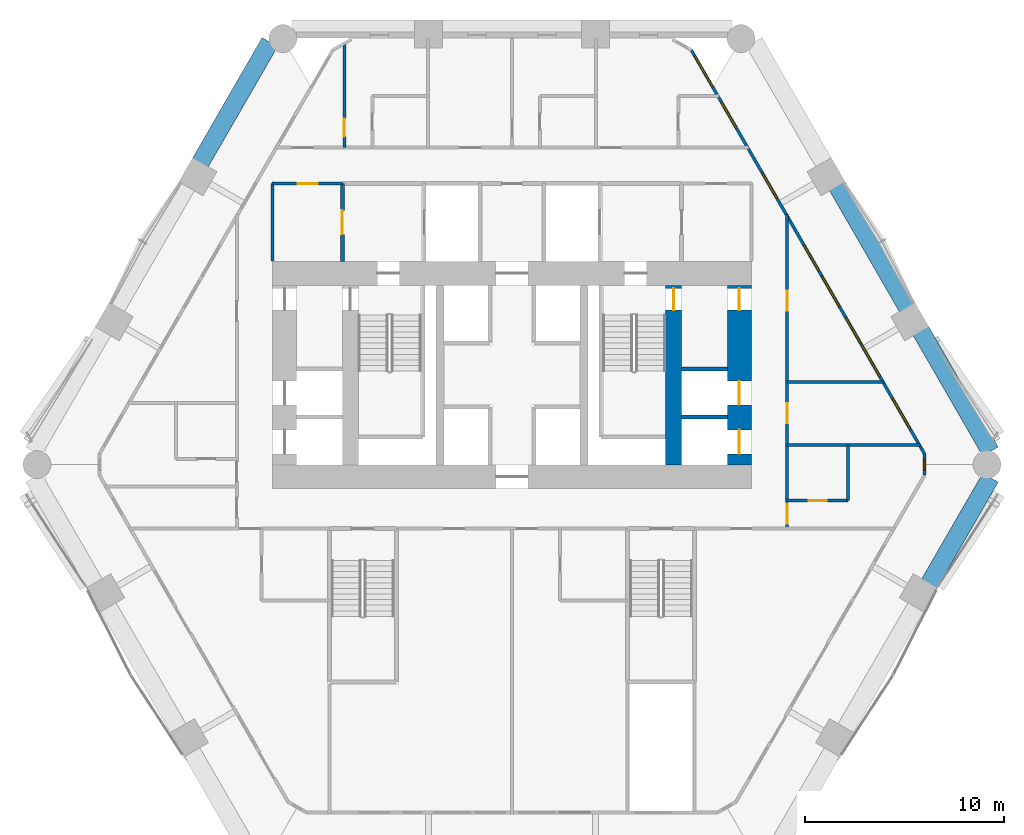
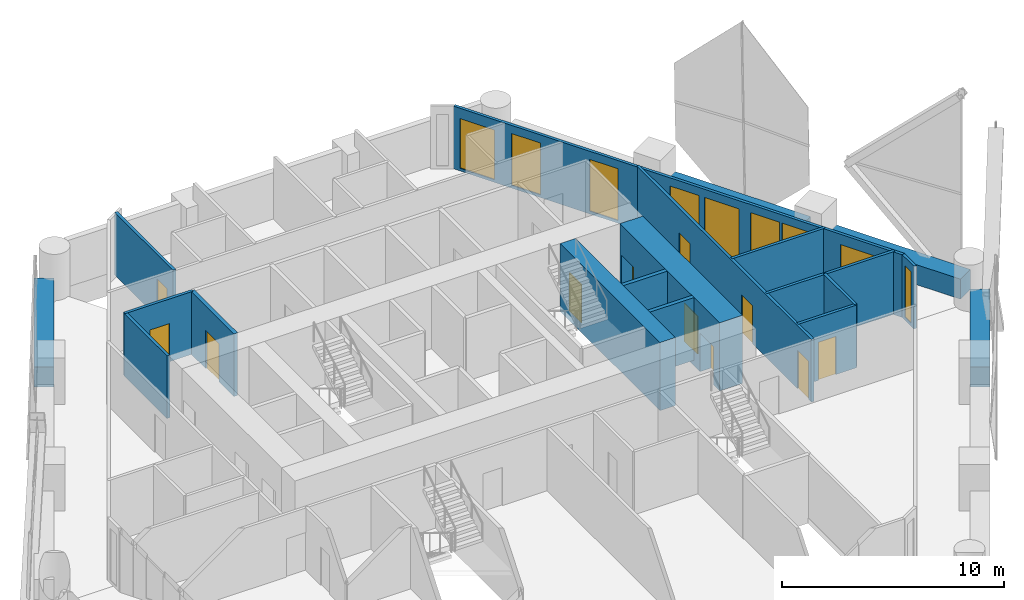
# One storey, part 11 of 16: 19 walls, 11 doors, 9 windows, 20 openings.
"""IFC4 building model written with IfcOpenShell, lengths in metres."""

from ifc_helpers import new_model, si_unit, direction, frame, frame_2d, origin, place, context, subcontext, project, spatial, rectangle, extrude, material, layer, layer_set, type_object, element, fill, save


model = new_model("IFC4")

# Units and contexts
model_context = context("Model", 3, precision=1e-05, world=origin(), true_north=direction((0.0, 1.0)))
body_context = subcontext(model_context, "Body", "Model", "MODEL_VIEW")
ifc_project = project(units=[si_unit("LENGTHUNIT", "METRE"), si_unit("AREAUNIT", "SQUARE_METRE"), si_unit("VOLUMEUNIT", "CUBIC_METRE"), si_unit("PLANEANGLEUNIT", "RADIAN"), si_unit("MASSUNIT", "GRAM", prefix="KILO")], contexts=[model_context])

# Site, building, storey
site_placement = place(None, origin())
site = spatial("IfcSite", under=ifc_project, at=site_placement, CompositionType="ELEMENT")
building_placement = place(site_placement, origin())
building = spatial("IfcBuilding", under=site, at=building_placement, Name="Ostrander Bayou Hotel Tower", CompositionType="ELEMENT")
storey_placement = place(building_placement, frame((0.0, 0.0, 58.0)))
storey = spatial("IfcBuildingStorey", under=building, at=storey_placement, Name="L14", CompositionType="ELEMENT", Elevation=58.0)

# Wall, openings, doors
ifc_material_1 = material(Name="Concrete f'c 70 MPa", Category="concrete")
ifc_layer_1 = layer(ifc_material_1, 1.199951171875)
ifc_layer_set_1 = layer_set([ifc_layer_1], Name="CW1 core wall 1200 mm f'c 70 MPa")
wall_type_1 = type_object("IfcWallType", Name="CW1 core wall 1200 mm f'c 70 MPa", PredefinedType="SHEAR", material=ifc_layer_set_1)
wall_1_placement = place(storey_placement, frame((11.39990234375, -0.5, -0.300048828125), z_axis=(0.0, 0.0, 1.0), x_axis=(0.0, 1.0, 0.0)))
wall_1 = element("IfcWall", 1, at=wall_1_placement, inside=storey, type_object=wall_type_1, Name="CW1 L14 RE", PredefinedType="SHEAR", context=body_context, shape_type="SweptSolid", body=[
    extrude(rectangle(XDim=9.0, YDim=1.199951171875, at=frame_2d((4.5, 0.0))), origin(), (0.0, 0.0, 1.0), 3.75),
])
opening_1_placement = place(wall_1_placement, frame((7.75, 0.0, 0.0)))
opening_1 = element("IfcOpeningElement", 2, at=opening_1_placement, cuts=wall_1, Name="Opening T12-017", PredefinedType="OPENING", context=body_context, shape_type="SweptSolid", body=[
    extrude(rectangle(XDim=1.10009765625, YDim=2.10009765625, at=frame_2d((0.550048828125, 1.050048828125))), frame((0.0, 0.60009765625, 0.0), z_axis=(0.0, -1.0, 0.0), x_axis=(1.0, 0.0, 0.0)), (0.0, 0.0, 1.0), 1.199951171875),
])
opening_2_placement = place(wall_1_placement, frame((0.550048828125, 0.0, 0.0)))
opening_2 = element("IfcOpeningElement", 3, at=opening_2_placement, cuts=wall_1, Name="Opening T12-018", PredefinedType="OPENING", context=body_context, shape_type="SweptSolid", body=[
    extrude(rectangle(XDim=1.199951171875, YDim=2.10009765625, at=frame_2d((0.60009765625, 1.050048828125))), frame((0.0, 0.60009765625, 0.0), z_axis=(0.0, -1.0, 0.0), x_axis=(1.0, 0.0, 0.0)), (0.0, 0.0, 1.0), 1.199951171875),
])
opening_3_placement = place(wall_1_placement, frame((3.0, 0.0, 0.0)))
opening_3 = element("IfcOpeningElement", 4, at=opening_3_placement, cuts=wall_1, Name="Opening T12-019", PredefinedType="OPENING", context=body_context, shape_type="SweptSolid", body=[
    extrude(rectangle(XDim=1.199951171875, YDim=2.10009765625, at=frame_2d((0.60009765625, 1.050048828125))), frame((0.0, 0.60009765625, 0.0), z_axis=(0.0, -1.0, 0.0), x_axis=(1.0, 0.0, 0.0)), (0.0, 0.0, 1.0), 1.199951171875),
])
ifc_material_2 = material(Name="Timber door leaf", Category="wood")
door_type_1 = type_object("IfcDoorType", Name="D5 stair door 1100 x 2100 mm, 90 minute", OperationType="SINGLE_SWING_LEFT", PredefinedType="DOOR", material=ifc_material_2)
door_1_placement = place(opening_1_placement, origin())
door_1 = element("IfcDoor", 5, at=door_1_placement, inside=storey, type_object=door_type_1, Name="dr:L14:017", OperationType="SINGLE_SWING_RIGHT", OverallHeight=2.10009765625, OverallWidth=1.10009765625, PredefinedType="DOOR", context=body_context, shape_type="SweptSolid", body=[
    extrude(rectangle(XDim=1.10009765625, YDim=2.10009765625, at=frame_2d((0.550048828125, 1.050048828125))), frame((0.0, 0.02490234375, 0.0), z_axis=(0.0, -1.0, 0.0), x_axis=(1.0, 0.0, 0.0)), (0.0, 0.0, 1.0), 0.050048828125),
])
fill(opening_1, door_1)
ifc_material_3 = material(Name="Stainless steel sliding door", Category="steel")
door_type_2 = type_object("IfcDoorType", Name="LD1 lift landing door 1200 x 2100 mm", OperationType="SINGLE_SWING_LEFT", PredefinedType="DOOR", material=ifc_material_3)
door_2_placement = place(opening_2_placement, origin())
door_2 = element("IfcDoor", 6, at=door_2_placement, inside=storey, type_object=door_type_2, Name="dr:L14:018", OperationType="SLIDING_TO_LEFT", OverallHeight=2.10009765625, OverallWidth=1.199951171875, PredefinedType="DOOR", context=body_context, shape_type="SweptSolid", body=[
    extrude(rectangle(XDim=1.199951171875, YDim=2.10009765625, at=frame_2d((0.60009765625, 1.050048828125))), frame((0.0, 0.02490234375, 0.0), z_axis=(0.0, -1.0, 0.0), x_axis=(1.0, 0.0, 0.0)), (0.0, 0.0, 1.0), 0.050048828125),
])
fill(opening_2, door_2)
door_3_placement = place(opening_3_placement, origin())
door_3 = element("IfcDoor", 7, at=door_3_placement, inside=storey, type_object=door_type_2, Name="dr:L14:019", OperationType="SLIDING_TO_LEFT", OverallHeight=2.10009765625, OverallWidth=1.199951171875, PredefinedType="DOOR", context=body_context, shape_type="SweptSolid", body=[
    extrude(rectangle(XDim=1.199951171875, YDim=2.10009765625, at=frame_2d((0.60009765625, 1.050048828125))), frame((0.0, 0.02490234375, 0.0), z_axis=(0.0, -1.0, 0.0), x_axis=(1.0, 0.0, 0.0)), (0.0, 0.0, 1.0), 0.050048828125),
])
fill(opening_3, door_3)

# Wall, opening, door
ifc_material_4 = material(Name="Concrete f'c 70 MPa", Category="concrete")
ifc_layer_2 = layer(ifc_material_4, 0.800048828125)
ifc_layer_set_2 = layer_set([ifc_layer_2], Name="CW2 core spine wall 800 mm f'c 70 MPa")
wall_type_2 = type_object("IfcWallType", Name="CW2 core spine wall 800 mm f'c 70 MPa", PredefinedType="SHEAR", material=ifc_layer_set_2)
wall_2_placement = place(storey_placement, frame((8.10009765625, -0.5, -0.300048828125), z_axis=(0.0, 0.0, 1.0), x_axis=(0.0, 1.0, 0.0)))
wall_2 = element("IfcWall", 8, at=wall_2_placement, inside=storey, type_object=wall_type_2, Name="CW2 L14 E", PredefinedType="SHEAR", context=body_context, shape_type="SweptSolid", body=[
    extrude(rectangle(XDim=9.0, YDim=0.800048828125, at=frame_2d((4.5, 0.0))), origin(), (0.0, 0.0, 1.0), 3.75),
])
opening_4_placement = place(wall_2_placement, frame((7.75, 0.0, 0.0)))
opening_4 = element("IfcOpeningElement", 9, at=opening_4_placement, cuts=wall_2, Name="Opening T12-006", PredefinedType="OPENING", context=body_context, shape_type="SweptSolid", body=[
    extrude(rectangle(XDim=1.10009765625, YDim=2.10009765625, at=frame_2d((0.550048828125, 1.050048828125))), frame((0.0, 0.39990234375, 0.0), z_axis=(0.0, -1.0, 0.0), x_axis=(1.0, 0.0, 0.0)), (0.0, 0.0, 1.0), 0.800048828125),
])
door_4_placement = place(opening_4_placement, origin())
door_4 = element("IfcDoor", 10, at=door_4_placement, inside=storey, type_object=door_type_1, Name="dr:L14:006", OperationType="SINGLE_SWING_LEFT", OverallHeight=2.10009765625, OverallWidth=1.10009765625, PredefinedType="DOOR", context=body_context, shape_type="SweptSolid", body=[
    extrude(rectangle(XDim=1.10009765625, YDim=2.10009765625, at=frame_2d((0.550048828125, 1.050048828125))), frame((0.0, 0.02490234375, 0.0), z_axis=(0.0, -1.0, 0.0), x_axis=(1.0, 0.0, 0.0)), (0.0, 0.0, 1.0), 0.050048828125),
])
fill(opening_4, door_4)

# Wall, openings, windows
ifc_material_5 = material(Name="Aluminium framed insulated wall", Category="aluminium")
ifc_layer_3 = layer(ifc_material_5, 0.14990234375)
ifc_layer_set_3 = layer_set([ifc_layer_3], Name="GW1 glass-line wall 150 mm")
wall_type_3 = type_object("IfcWallType", Name="GW1 glass-line wall 150 mm", PredefinedType="SOLIDWALL", material=ifc_layer_set_3)
wall_3_placement = place(storey_placement, frame((20.6845703125, 0.04150390625, 0.0), z_axis=(0.0, 0.0, 1.0), x_axis=(-0.49999960747, 0.866025630412, 0.0)))
wall_3 = element("IfcWall", 11, at=wall_3_placement, inside=storey, type_object=wall_type_3, Name="GW1 L14 NE 1", PredefinedType="SOLIDWALL", context=body_context, shape_type="SweptSolid", body=[
    extrude(rectangle(XDim=23.3837890625, YDim=0.14990234375, at=frame_2d((11.69189453125, 0.0))), origin(), (0.0, 0.0, 1.0), 3.449951171875),
])
opening_5_placement = place(wall_3_placement, frame((4.49072265625, 0.0, 0.14990234375)))
opening_5 = element("IfcOpeningElement", 12, at=opening_5_placement, cuts=wall_3, Name="Opening W1", PredefinedType="OPENING", context=body_context, shape_type="SweptSolid", body=[
    extrude(rectangle(XDim=1.800048828125, YDim=2.85009765625, at=frame_2d((0.89990234375, 1.425048828125))), frame((0.0, 0.074951171875, 0.0), z_axis=(0.0, -1.0, 0.0), x_axis=(1.0, 0.0, 0.0)), (0.0, 0.0, 1.0), 0.14990234375),
])
opening_6_placement = place(wall_3_placement, frame((6.40625, 0.0, 0.14990234375)))
opening_6 = element("IfcOpeningElement", 13, at=opening_6_placement, cuts=wall_3, Name="Opening W11", PredefinedType="OPENING", context=body_context, shape_type="SweptSolid", body=[
    extrude(rectangle(XDim=1.5, YDim=2.85009765625, at=frame_2d((0.75, 1.425048828125))), frame((0.0, 0.074951171875, 0.0), z_axis=(0.0, -1.0, 0.0), x_axis=(1.0, 0.0, 0.0)), (0.0, 0.0, 1.0), 0.14990234375),
])
opening_7_placement = place(wall_3_placement, frame((8.50634765625, 0.0, 0.14990234375)))
opening_7 = element("IfcOpeningElement", 14, at=opening_7_placement, cuts=wall_3, Name="Opening W1", PredefinedType="OPENING", context=body_context, shape_type="SweptSolid", body=[
    extrude(rectangle(XDim=1.800048828125, YDim=2.85009765625, at=frame_2d((0.89990234375, 1.425048828125))), frame((0.0, 0.074951171875, 0.0), z_axis=(0.0, -1.0, 0.0), x_axis=(1.0, 0.0, 0.0)), (0.0, 0.0, 1.0), 0.14990234375),
])
opening_8_placement = place(wall_3_placement, frame((10.606201171875, 0.0, 0.14990234375)))
opening_8 = element("IfcOpeningElement", 15, at=opening_8_placement, cuts=wall_3, Name="Opening W11", PredefinedType="OPENING", context=body_context, shape_type="SweptSolid", body=[
    extrude(rectangle(XDim=1.5, YDim=2.85009765625, at=frame_2d((0.75, 1.425048828125))), frame((0.0, 0.074951171875, 0.0), z_axis=(0.0, -1.0, 0.0), x_axis=(1.0, 0.0, 0.0)), (0.0, 0.0, 1.0), 0.14990234375),
])
opening_9_placement = place(wall_3_placement, frame((14.806396484375, 0.0, 0.14990234375)))
opening_9 = element("IfcOpeningElement", 16, at=opening_9_placement, cuts=wall_3, Name="Opening W11", PredefinedType="OPENING", context=body_context, shape_type="SweptSolid", body=[
    extrude(rectangle(XDim=1.5, YDim=2.85009765625, at=frame_2d((0.75, 1.425048828125))), frame((0.0, 0.074951171875, 0.0), z_axis=(0.0, -1.0, 0.0), x_axis=(1.0, 0.0, 0.0)), (0.0, 0.0, 1.0), 0.14990234375),
])
opening_10_placement = place(wall_3_placement, frame((18.860595703125, 0.0, 0.14990234375)))
opening_10 = element("IfcOpeningElement", 17, at=opening_10_placement, cuts=wall_3, Name="Opening W11", PredefinedType="OPENING", context=body_context, shape_type="SweptSolid", body=[
    extrude(rectangle(XDim=1.5, YDim=2.85009765625, at=frame_2d((0.75, 1.425048828125))), frame((0.0, 0.074951171875, 0.0), z_axis=(0.0, -1.0, 0.0), x_axis=(1.0, 0.0, 0.0)), (0.0, 0.0, 1.0), 0.14990234375),
])
opening_11_placement = place(wall_3_placement, frame((1.422119140625, 0.0, 0.14990234375)))
opening_11 = element("IfcOpeningElement", 18, at=opening_11_placement, cuts=wall_3, Name="Opening W1", PredefinedType="OPENING", context=body_context, shape_type="SweptSolid", body=[
    extrude(rectangle(XDim=1.800048828125, YDim=2.72998046875, at=frame_2d((0.89990234375, 1.364990234375))), frame((0.0, 0.074951171875, 0.0), z_axis=(0.0, -1.0, 0.0), x_axis=(1.0, 0.0, 0.0)), (0.0, 0.0, 1.0), 0.14990234375),
])
opening_12_placement = place(wall_3_placement, frame((21.247314453125, 0.0, 0.14990234375)))
opening_12 = element("IfcOpeningElement", 19, at=opening_12_placement, cuts=wall_3, Name="Opening W1", PredefinedType="OPENING", context=body_context, shape_type="SweptSolid", body=[
    extrude(rectangle(XDim=1.800048828125, YDim=2.72998046875, at=frame_2d((0.89990234375, 1.364990234375))), frame((0.0, 0.074951171875, 0.0), z_axis=(0.0, -1.0, 0.0), x_axis=(1.0, 0.0, 0.0)), (0.0, 0.0, 1.0), 0.14990234375),
])
ifc_material_6 = material(Name="Aluminium and clear glass", Category="aluminium")
window_type_1 = type_object("IfcWindowType", Name="W1 fixed window 1800 mm, zone 1", PartitioningType="SINGLE_PANEL", PredefinedType="WINDOW", material=ifc_material_6)
window_1_placement = place(opening_5_placement, origin())
window_1 = element("IfcWindow", 20, at=window_1_placement, inside=storey, type_object=window_type_1, Name="W1 L14 NE 2", OverallHeight=2.85009765625, OverallWidth=1.800048828125, PartitioningType="SINGLE_PANEL", PredefinedType="WINDOW", context=body_context, shape_type="SweptSolid", body=[
    extrude(rectangle(XDim=1.800048828125, YDim=2.85009765625, at=frame_2d((0.89990234375, 1.425048828125))), frame((0.0, 0.030029296875, 0.0), z_axis=(0.0, -1.0, 0.0), x_axis=(1.0, 0.0, 0.0)), (0.0, 0.0, 1.0), 0.06005859375),
])
fill(opening_5, window_1)
window_2_placement = place(opening_7_placement, origin())
window_2 = element("IfcWindow", 21, at=window_2_placement, inside=storey, type_object=window_type_1, Name="W1 L14 NE 3", OverallHeight=2.85009765625, OverallWidth=1.800048828125, PartitioningType="SINGLE_PANEL", PredefinedType="WINDOW", context=body_context, shape_type="SweptSolid", body=[
    extrude(rectangle(XDim=1.800048828125, YDim=2.85009765625, at=frame_2d((0.89990234375, 1.425048828125))), frame((0.0, 0.030029296875, 0.0), z_axis=(0.0, -1.0, 0.0), x_axis=(1.0, 0.0, 0.0)), (0.0, 0.0, 1.0), 0.06005859375),
])
fill(opening_7, window_2)
window_3_placement = place(opening_11_placement, origin())
window_3 = element("IfcWindow", 22, at=window_3_placement, inside=storey, type_object=window_type_1, Name="W1 L14 NE E12", OverallHeight=2.72998046875, OverallWidth=1.800048828125, PartitioningType="SINGLE_PANEL", PredefinedType="WINDOW", context=body_context, shape_type="SweptSolid", body=[
    extrude(rectangle(XDim=1.800048828125, YDim=2.72998046875, at=frame_2d((0.89990234375, 1.364990234375))), frame((0.0, 0.030029296875, 0.0), z_axis=(0.0, -1.0, 0.0), x_axis=(1.0, 0.0, 0.0)), (0.0, 0.0, 1.0), 0.06005859375),
])
fill(opening_11, window_3)
window_4_placement = place(opening_12_placement, origin())
window_4 = element("IfcWindow", 23, at=window_4_placement, inside=storey, type_object=window_type_1, Name="W1 L14 NE E21", OverallHeight=2.72998046875, OverallWidth=1.800048828125, PartitioningType="SINGLE_PANEL", PredefinedType="WINDOW", context=body_context, shape_type="SweptSolid", body=[
    extrude(rectangle(XDim=1.800048828125, YDim=2.72998046875, at=frame_2d((0.89990234375, 1.364990234375))), frame((0.0, 0.030029296875, 0.0), z_axis=(0.0, -1.0, 0.0), x_axis=(1.0, 0.0, 0.0)), (0.0, 0.0, 1.0), 0.06005859375),
])
fill(opening_12, window_4)
ifc_material_7 = material(Name="Aluminium and clear glass", Category="aluminium")
window_type_2 = type_object("IfcWindowType", Name="W11 fixed window 1500 mm, bath bay, zone 1", PartitioningType="SINGLE_PANEL", PredefinedType="WINDOW", material=ifc_material_7)
window_5_placement = place(opening_6_placement, origin())
window_5 = element("IfcWindow", 24, at=window_5_placement, inside=storey, type_object=window_type_2, Name="W11 L14 NE 2", OverallHeight=2.85009765625, OverallWidth=1.5, PartitioningType="SINGLE_PANEL", PredefinedType="WINDOW", context=body_context, shape_type="SweptSolid", body=[
    extrude(rectangle(XDim=1.5, YDim=2.85009765625, at=frame_2d((0.75, 1.425048828125))), frame((0.0, 0.030029296875, 0.0), z_axis=(0.0, -1.0, 0.0), x_axis=(1.0, 0.0, 0.0)), (0.0, 0.0, 1.0), 0.06005859375),
])
fill(opening_6, window_5)
window_6_placement = place(opening_8_placement, origin())
window_6 = element("IfcWindow", 25, at=window_6_placement, inside=storey, type_object=window_type_2, Name="W11 L14 NE 3", OverallHeight=2.85009765625, OverallWidth=1.5, PartitioningType="SINGLE_PANEL", PredefinedType="WINDOW", context=body_context, shape_type="SweptSolid", body=[
    extrude(rectangle(XDim=1.5, YDim=2.85009765625, at=frame_2d((0.75, 1.425048828125))), frame((0.0, 0.030029296875, 0.0), z_axis=(0.0, -1.0, 0.0), x_axis=(1.0, 0.0, 0.0)), (0.0, 0.0, 1.0), 0.06005859375),
])
fill(opening_8, window_6)
window_7_placement = place(opening_9_placement, origin())
window_7 = element("IfcWindow", 26, at=window_7_placement, inside=storey, type_object=window_type_2, Name="W11 L14 NE 4", OverallHeight=2.85009765625, OverallWidth=1.5, PartitioningType="SINGLE_PANEL", PredefinedType="WINDOW", context=body_context, shape_type="SweptSolid", body=[
    extrude(rectangle(XDim=1.5, YDim=2.85009765625, at=frame_2d((0.75, 1.425048828125))), frame((0.0, 0.030029296875, 0.0), z_axis=(0.0, -1.0, 0.0), x_axis=(1.0, 0.0, 0.0)), (0.0, 0.0, 1.0), 0.06005859375),
])
fill(opening_9, window_7)
window_8_placement = place(opening_10_placement, origin())
window_8 = element("IfcWindow", 27, at=window_8_placement, inside=storey, type_object=window_type_2, Name="W11 L14 NE 5", OverallHeight=2.85009765625, OverallWidth=1.5, PartitioningType="SINGLE_PANEL", PredefinedType="WINDOW", context=body_context, shape_type="SweptSolid", body=[
    extrude(rectangle(XDim=1.5, YDim=2.85009765625, at=frame_2d((0.75, 1.425048828125))), frame((0.0, 0.030029296875, 0.0), z_axis=(0.0, -1.0, 0.0), x_axis=(1.0, 0.0, 0.0)), (0.0, 0.0, 1.0), 0.06005859375),
])
fill(opening_10, window_8)

# Wall, opening, window
wall_4_placement = place(storey_placement, frame((20.6845703125, -1.0234375, 0.0), z_axis=(0.0, 0.0, 1.0), x_axis=(0.0, 1.0, 0.0)))
wall_4 = element("IfcWall", 28, at=wall_4_placement, inside=storey, type_object=wall_type_3, Name="GW1 L14 corner 5", PredefinedType="SOLIDWALL", context=body_context, shape_type="SweptSolid", body=[
    extrude(rectangle(XDim=1.06494140625, YDim=0.14990234375, at=frame_2d((0.532470703125, 0.0))), origin(), (0.0, 0.0, 1.0), 3.449951171875),
])
opening_13_placement = place(wall_4_placement, frame((0.257568359375, 0.0, 0.14990234375)))
opening_13 = element("IfcOpeningElement", 29, at=opening_13_placement, cuts=wall_4, Name="Opening W19", PredefinedType="OPENING", context=body_context, shape_type="SweptSolid", body=[
    extrude(rectangle(XDim=0.550048828125, YDim=2.85009765625, at=frame_2d((0.27490234375, 1.425048828125))), frame((0.0, 0.074951171875, 0.0), z_axis=(0.0, -1.0, 0.0), x_axis=(1.0, 0.0, 0.0)), (0.0, 0.0, 1.0), 0.14990234375),
])
ifc_material_8 = material(Name="Aluminium and clear glass", Category="aluminium")
window_type_3 = type_object("IfcWindowType", Name="W19 corner window 550 mm", PartitioningType="SINGLE_PANEL", PredefinedType="WINDOW", material=ifc_material_8)
window_9_placement = place(opening_13_placement, origin())
window_9 = element("IfcWindow", 30, at=window_9_placement, inside=storey, type_object=window_type_3, Name="W19 L14 corner 5", OverallHeight=2.85009765625, OverallWidth=0.550048828125, PartitioningType="SINGLE_PANEL", PredefinedType="WINDOW", context=body_context, shape_type="SweptSolid", body=[
    extrude(rectangle(XDim=0.550048828125, YDim=2.85009765625, at=frame_2d((0.27490234375, 1.425048828125))), frame((0.0, 0.030029296875, 0.0), z_axis=(0.0, -1.0, 0.0), x_axis=(1.0, 0.0, 0.0)), (0.0, 0.0, 1.0), 0.06005859375),
])
fill(opening_13, window_9)

# Walls
ifc_material_9 = material(Name="Concrete f'c 40 MPa", Category="concrete")
ifc_layer_4 = layer(ifc_material_9, 0.89990234375)
ifc_layer_set_4 = layer_set([ifc_layer_4], Name="PA1 stone-faced parapet 900 mm")
wall_type_4 = type_object("IfcWallType", Name="PA1 stone-faced parapet 900 mm", PredefinedType="PARAPET", material=ifc_layer_set_4)
for number, where, z_axis, x_axis, name in (
    (31, (-12.13818359375, 20.694091796875, 0.0), (0.0, 0.0, 1.0), (-0.500009789943, -0.866019751484, 0.0), "PA1 L14 NW-1"),
    (32, (23.99072265625, 0.1650390625, 0.0), (0.0, 0.0, 1.0), (-0.499983583635, 0.86603488157, 0.0), "PA1 L14 NE-1"),
):
    element("IfcWall", number, at=place(storey_placement, frame(where, z_axis=z_axis, x_axis=x_axis)), inside=storey, type_object=wall_type_4, Name=name, PredefinedType="PARAPET", context=body_context, shape_type="SweptSolid", body=[
        extrude(rectangle(XDim=6.987060546875, YDim=0.89990234375, at=frame_2d((3.49365234375, 0.0))), origin(), (0.0, 0.0, 1.0), 1.10009765625),
    ])
wall_5_placement = place(storey_placement, frame((19.8271484375, 7.37646484375, 0.0), z_axis=(0.0, 0.0, 1.0), x_axis=(-0.499997206141, 0.866027016814, 0.0)))
element("IfcWall", 33, at=wall_5_placement, inside=storey, type_object=wall_type_4, Name="PA1 L14 NE-2", PredefinedType="PARAPET", context=body_context, shape_type="SweptSolid", body=[
    extrude(rectangle(XDim=7.05078125, YDim=0.89990234375, at=frame_2d((3.525390625, 0.0))), origin(), (0.0, 0.0, 1.0), 1.10009765625),
])
ifc_material_10 = material(Name="Limestone masonry", Category="masonry")
ifc_layer_5 = layer(ifc_material_10, 0.89990234375)
ifc_layer_set_5 = layer_set([ifc_layer_5], Name="PA2 limestone parapet 900 mm")
wall_type_5 = type_object("IfcWallType", Name="PA2 limestone parapet 900 mm", PredefinedType="PARAPET", material=ifc_layer_set_5)
wall_6_placement = place(storey_placement, frame((20.92236328125, -6.46142578125, 0.0), z_axis=(0.0, 0.0, 1.0), x_axis=(0.500007141444, 0.86602128063, 0.0)))
element("IfcWall", 34, at=wall_6_placement, inside=storey, type_object=wall_type_5, Name="PA2 L14 SE-3", PredefinedType="PARAPET", context=body_context, shape_type="SweptSolid", body=[
    extrude(rectangle(XDim=6.13671875, YDim=0.89990234375, at=frame_2d((3.068359375, 0.0))), origin(), (0.0, 0.0, 1.0), 1.10009765625),
])

# Wall, opening, door
ifc_material_11 = material(Name="Masonry block", Category="masonry")
ifc_layer_6 = layer(ifc_material_11, 0.199951171875)
ifc_layer_set_6 = layer_set([ifc_layer_6], Name="PT5 stair enclosure wall 200 mm masonry, 2 hour")
wall_type_6 = type_object("IfcWallType", Name="PT5 stair enclosure wall 200 mm masonry, 2 hour", PredefinedType="PARTITIONING", material=ifc_layer_set_6)
wall_7_placement = place(storey_placement, frame((-8.5, 9.699951171875, 0.0), z_axis=(0.0, 0.0, 1.0), x_axis=(0.0, 1.0, 0.0)))
wall_7 = element("IfcWall", 35, at=wall_7_placement, inside=storey, type_object=wall_type_6, Name="cs:L14:024", PredefinedType="PARTITIONING", context=body_context, shape_type="SweptSolid", body=[
    extrude(rectangle(XDim=3.900146484375, YDim=0.199951171875, at=frame_2d((1.9501953125, 0.0))), origin(), (0.0, 0.0, 1.0), 3.449951171875),
])
opening_14_placement = place(wall_7_placement, frame((1.35009765625, 0.0, 0.0)))
opening_14 = element("IfcOpeningElement", 36, at=opening_14_placement, cuts=wall_7, Name="Opening T12-010", PredefinedType="OPENING", context=body_context, shape_type="SweptSolid", body=[
    extrude(rectangle(XDim=1.199951171875, YDim=2.10009765625, at=frame_2d((0.60009765625, 1.050048828125))), frame((0.0, 0.10009765625, 0.0), z_axis=(0.0, -1.0, 0.0), x_axis=(1.0, 0.0, 0.0)), (0.0, 0.0, 1.0), 0.199951171875),
])
ifc_material_12 = material(Name="Timber door leaf", Category="wood")
door_type_3 = type_object("IfcDoorType", Name="D7 lobby door 1200 x 2100 mm, 1 hour", OperationType="SINGLE_SWING_LEFT", PredefinedType="DOOR", material=ifc_material_12)
door_5_placement = place(opening_14_placement, origin())
door_5 = element("IfcDoor", 37, at=door_5_placement, inside=storey, type_object=door_type_3, Name="dr:L14:010", OperationType="SINGLE_SWING_LEFT", OverallHeight=2.10009765625, OverallWidth=1.199951171875, PredefinedType="DOOR", context=body_context, shape_type="SweptSolid", body=[
    extrude(rectangle(XDim=1.199951171875, YDim=2.10009765625, at=frame_2d((0.60009765625, 1.050048828125))), frame((0.0, 0.02490234375, 0.0), z_axis=(0.0, -1.0, 0.0), x_axis=(1.0, 0.0, 0.0)), (0.0, 0.0, 1.0), 0.050048828125),
])
fill(opening_14, door_5)

# Walls
ifc_material_13 = material(Name="Masonry block", Category="masonry")
ifc_layer_7 = layer(ifc_material_13, 0.199951171875)
ifc_layer_set_7 = layer_set([ifc_layer_7], Name="PT6 lift shaft wall 200 mm masonry, 2 hour")
wall_type_7 = type_object("IfcWallType", Name="PT6 lift shaft wall 200 mm masonry, 2 hour", PredefinedType="PARTITIONING", material=ifc_layer_set_7)
for number, where, z_axis, x_axis, name in (
    (38, (8.5, 1.89990234375, 0.0), (0.0, 0.0, 1.0), (1.0, 0.0, 0.0), "cs:L14:032"),
    (39, (8.5, 4.300048828125, 0.0), (0.0, 0.0, 1.0), (1.0, 0.0, 0.0), "cs:L14:033"),
):
    element("IfcWall", number, at=place(storey_placement, frame(where, z_axis=z_axis, x_axis=x_axis)), inside=storey, type_object=wall_type_7, Name=name, PredefinedType="PARTITIONING", context=body_context, shape_type="SweptSolid", body=[
        extrude(rectangle(XDim=2.300048828125, YDim=0.199951171875, at=frame_2d((1.14990234375, 0.0))), origin(), (0.0, 0.0, 1.0), 3.449951171875),
    ])

# Wall, opening, door
ifc_material_14 = material(Name="Gypsum board partition", Category="finish")
ifc_layer_8 = layer(ifc_material_14, 0.14990234375)
ifc_layer_set_8 = layer_set([ifc_layer_8], Name="PT8 service band wall 150 mm, 1 hour")
wall_type_8 = type_object("IfcWallType", Name="PT8 service band wall 150 mm, 1 hour", PredefinedType="PARTITIONING", material=ifc_layer_set_8)
wall_8_placement = place(storey_placement, frame((13.800048828125, -2.300048828125, 0.0), z_axis=(0.0, 0.0, 1.0), x_axis=(1.0, 0.0, 0.0)))
wall_8 = element("IfcWall", 40, at=wall_8_placement, inside=storey, type_object=wall_type_8, Name="gw:L14:006", PredefinedType="PARTITIONING", context=body_context, shape_type="SweptSolid", body=[
    extrude(rectangle(XDim=3.050048828125, YDim=0.14990234375, at=frame_2d((1.52490234375, 0.0))), origin(), (0.0, 0.0, 1.0), 3.449951171875),
])
opening_15_placement = place(wall_8_placement, frame((1.074951171875, 0.0, 0.0)))
opening_15 = element("IfcOpeningElement", 41, at=opening_15_placement, cuts=wall_8, Name="Opening T12-411", PredefinedType="OPENING", context=body_context, shape_type="SweptSolid", body=[
    extrude(rectangle(XDim=0.89990234375, YDim=2.10009765625, at=frame_2d((0.449951171875, 1.050048828125))), frame((0.0, 0.074951171875, 0.0), z_axis=(0.0, -1.0, 0.0), x_axis=(1.0, 0.0, 0.0)), (0.0, 0.0, 1.0), 0.14990234375),
])
ifc_material_15 = material(Name="Timber door leaf", Category="wood")
door_type_4 = type_object("IfcDoorType", Name="D14 bathroom door 900 x 2100 mm", OperationType="SINGLE_SWING_LEFT", PredefinedType="DOOR", material=ifc_material_15)
door_6_placement = place(opening_15_placement, origin())
door_6 = element("IfcDoor", 42, at=door_6_placement, inside=storey, type_object=door_type_4, Name="dr:L14:411", OperationType="SINGLE_SWING_LEFT", OverallHeight=2.10009765625, OverallWidth=0.89990234375, PredefinedType="DOOR", context=body_context, shape_type="SweptSolid", body=[
    extrude(rectangle(XDim=0.89990234375, YDim=2.10009765625, at=frame_2d((0.449951171875, 1.050048828125))), frame((0.0, 0.02490234375, 0.0), z_axis=(0.0, -1.0, 0.0), x_axis=(1.0, 0.0, 0.0)), (0.0, 0.0, 1.0), 0.050048828125),
])
fill(opening_15, door_6)

# Walls
wall_9_placement = place(storey_placement, frame((13.800048828125, 0.5, 0.0), z_axis=(0.0, 0.0, 1.0), x_axis=(1.0, 0.0, 0.0)))
element("IfcWall", 43, at=wall_9_placement, inside=storey, type_object=wall_type_8, Name="gw:L14:009", PredefinedType="PARTITIONING", context=body_context, shape_type="SweptSolid", body=[
    extrude(rectangle(XDim=6.671875, YDim=0.14990234375, at=frame_2d((3.3359375, 0.0))), origin(), (0.0, 0.0, 1.0), 3.449951171875),
])
wall_10_placement = place(storey_placement, frame((13.800048828125, 3.64990234375, 0.0), z_axis=(0.0, 0.0, 1.0), x_axis=(1.0, 0.0, 0.0)))
element("IfcWall", 44, at=wall_10_placement, inside=storey, type_object=wall_type_8, Name="gw:L14:011", PredefinedType="PARTITIONING", context=body_context, shape_type="SweptSolid", body=[
    extrude(rectangle(XDim=4.85302734375, YDim=0.14990234375, at=frame_2d((2.426513671875, 0.0))), origin(), (0.0, 0.0, 1.0), 3.449951171875),
])

# Wall, opening, door
wall_11_placement = place(storey_placement, frame((-12.0400390625, 13.60009765625, 0.0), z_axis=(0.0, 0.0, 1.0), x_axis=(1.0, 0.0, 0.0)))
wall_11 = element("IfcWall", 45, at=wall_11_placement, inside=storey, type_object=wall_type_8, Name="gw:L14:012", PredefinedType="PARTITIONING", context=body_context, shape_type="SweptSolid", body=[
    extrude(rectangle(XDim=3.530029296875, YDim=0.14990234375, at=frame_2d((1.76513671875, 0.0))), origin(), (0.0, 0.0, 1.0), 3.449951171875),
])
opening_16_placement = place(wall_11_placement, frame((1.2900390625, 0.0, 0.0)))
opening_16 = element("IfcOpeningElement", 46, at=opening_16_placement, cuts=wall_11, Name="Opening T12-422", PredefinedType="OPENING", context=body_context, shape_type="SweptSolid", body=[
    extrude(rectangle(XDim=1.0, YDim=2.10009765625, at=frame_2d((0.5, 1.050048828125))), frame((0.0, 0.074951171875, 0.0), z_axis=(0.0, -1.0, 0.0), x_axis=(1.0, 0.0, 0.0)), (0.0, 0.0, 1.0), 0.14990234375),
])
ifc_material_16 = material(Name="Timber door leaf", Category="wood")
door_type_5 = type_object("IfcDoorType", Name="D9 service door 1000 x 2100 mm, 30 minute", OperationType="SINGLE_SWING_LEFT", PredefinedType="DOOR", material=ifc_material_16)
door_7_placement = place(opening_16_placement, origin())
door_7 = element("IfcDoor", 47, at=door_7_placement, inside=storey, type_object=door_type_5, Name="dr:L14:422", OperationType="SINGLE_SWING_RIGHT", OverallHeight=2.10009765625, OverallWidth=1.0, PredefinedType="DOOR", context=body_context, shape_type="SweptSolid", body=[
    extrude(rectangle(XDim=1.0, YDim=2.10009765625, at=frame_2d((0.5, 1.050048828125))), frame((0.0, 0.02490234375, 0.0), z_axis=(0.0, -1.0, 0.0), x_axis=(1.0, 0.0, 0.0)), (0.0, 0.0, 1.0), 0.050048828125),
])
fill(opening_16, door_7)

# Wall
wall_12_placement = place(storey_placement, frame((16.85009765625, -2.300048828125, 0.0), z_axis=(0.0, 0.0, 1.0), x_axis=(0.0, 1.0, 0.0)))
element("IfcWall", 48, at=wall_12_placement, inside=storey, type_object=wall_type_8, Name="gw:L14:018", PredefinedType="PARTITIONING", context=body_context, shape_type="SweptSolid", body=[
    extrude(rectangle(XDim=2.800048828125, YDim=0.14990234375, at=frame_2d((1.39990234375, 0.0))), origin(), (0.0, 0.0, 1.0), 3.449951171875),
])

# Wall, openings, doors
wall_13_placement = place(storey_placement, frame((13.800048828125, -3.699951171875, 0.0), z_axis=(0.0, 0.0, 1.0), x_axis=(0.0, 1.0, 0.0)))
wall_13 = element("IfcWall", 49, at=wall_13_placement, inside=storey, type_object=wall_type_8, Name="gw:L14:019", PredefinedType="PARTITIONING", context=body_context, shape_type="SweptSolid", body=[
    extrude(rectangle(XDim=15.755859375, YDim=0.14990234375, at=frame_2d((7.8779296875, 0.0))), origin(), (0.0, 0.0, 1.0), 3.449951171875),
])
opening_17_placement = place(wall_13_placement, frame((0.25, 0.0, 0.0)))
opening_17 = element("IfcOpeningElement", 50, at=opening_17_placement, cuts=wall_13, Name="Opening T12-410", PredefinedType="OPENING", context=body_context, shape_type="SweptSolid", body=[
    extrude(rectangle(XDim=1.0, YDim=2.10009765625, at=frame_2d((0.5, 1.050048828125))), frame((0.0, 0.074951171875, 0.0), z_axis=(0.0, -1.0, 0.0), x_axis=(1.0, 0.0, 0.0)), (0.0, 0.0, 1.0), 0.14990234375),
])
opening_18_placement = place(wall_13_placement, frame((5.27490234375, 0.0, 0.0)))
opening_18 = element("IfcOpeningElement", 51, at=opening_18_placement, cuts=wall_13, Name="Opening T12-412", PredefinedType="OPENING", context=body_context, shape_type="SweptSolid", body=[
    extrude(rectangle(XDim=1.0, YDim=2.10009765625, at=frame_2d((0.5, 1.050048828125))), frame((0.0, 0.074951171875, 0.0), z_axis=(0.0, -1.0, 0.0), x_axis=(1.0, 0.0, 0.0)), (0.0, 0.0, 1.0), 0.14990234375),
])
opening_19_placement = place(wall_13_placement, frame((10.93310546875, 0.0, 0.0)))
opening_19 = element("IfcOpeningElement", 52, at=opening_19_placement, cuts=wall_13, Name="Opening T12-413", PredefinedType="OPENING", context=body_context, shape_type="SweptSolid", body=[
    extrude(rectangle(XDim=1.0, YDim=2.10009765625, at=frame_2d((0.5, 1.050048828125))), frame((0.0, 0.074951171875, 0.0), z_axis=(0.0, -1.0, 0.0), x_axis=(1.0, 0.0, 0.0)), (0.0, 0.0, 1.0), 0.14990234375),
])
ifc_material_17 = material(Name="Timber door leaf", Category="wood")
door_type_6 = type_object("IfcDoorType", Name="D1 guest room door 1000 x 2100 mm, 30 minute", OperationType="SINGLE_SWING_LEFT", PredefinedType="DOOR", material=ifc_material_17)
door_8_placement = place(opening_17_placement, origin())
door_8 = element("IfcDoor", 53, at=door_8_placement, inside=storey, type_object=door_type_6, Name="dr:L14:410", OperationType="SINGLE_SWING_LEFT", OverallHeight=2.10009765625, OverallWidth=1.0, PredefinedType="DOOR", context=body_context, shape_type="SweptSolid", body=[
    extrude(rectangle(XDim=1.0, YDim=2.10009765625, at=frame_2d((0.5, 1.050048828125))), frame((0.0, 0.02490234375, 0.0), z_axis=(0.0, -1.0, 0.0), x_axis=(1.0, 0.0, 0.0)), (0.0, 0.0, 1.0), 0.050048828125),
])
fill(opening_17, door_8)
door_9_placement = place(opening_18_placement, origin())
door_9 = element("IfcDoor", 54, at=door_9_placement, inside=storey, type_object=door_type_5, Name="dr:L14:412", OperationType="SINGLE_SWING_LEFT", OverallHeight=2.10009765625, OverallWidth=1.0, PredefinedType="DOOR", context=body_context, shape_type="SweptSolid", body=[
    extrude(rectangle(XDim=1.0, YDim=2.10009765625, at=frame_2d((0.5, 1.050048828125))), frame((0.0, 0.02490234375, 0.0), z_axis=(0.0, -1.0, 0.0), x_axis=(1.0, 0.0, 0.0)), (0.0, 0.0, 1.0), 0.050048828125),
])
fill(opening_18, door_9)
door_10_placement = place(opening_19_placement, origin())
door_10 = element("IfcDoor", 55, at=door_10_placement, inside=storey, type_object=door_type_5, Name="dr:L14:413", OperationType="SINGLE_SWING_LEFT", OverallHeight=2.10009765625, OverallWidth=1.0, PredefinedType="DOOR", context=body_context, shape_type="SweptSolid", body=[
    extrude(rectangle(XDim=1.0, YDim=2.10009765625, at=frame_2d((0.5, 1.050048828125))), frame((0.0, 0.02490234375, 0.0), z_axis=(0.0, -1.0, 0.0), x_axis=(1.0, 0.0, 0.0)), (0.0, 0.0, 1.0), 0.050048828125),
])
fill(opening_19, door_10)

# Wall, opening, door
wall_14_placement = place(storey_placement, frame((-8.39990234375, 15.39990234375, 0.0), z_axis=(0.0, 0.0, 1.0), x_axis=(0.0, 1.0, 0.0)))
wall_14 = element("IfcWall", 56, at=wall_14_placement, inside=storey, type_object=wall_type_8, Name="gw:L14:031", PredefinedType="PARTITIONING", context=body_context, shape_type="SweptSolid", body=[
    extrude(rectangle(XDim=5.255126953125, YDim=0.14990234375, at=frame_2d((2.62744140625, 0.0))), origin(), (0.0, 0.0, 1.0), 3.449951171875),
])
opening_20_placement = place(wall_14_placement, frame((0.550048828125, 0.0, 0.0)))
opening_20 = element("IfcOpeningElement", 57, at=opening_20_placement, cuts=wall_14, Name="Opening T12-415", PredefinedType="OPENING", context=body_context, shape_type="SweptSolid", body=[
    extrude(rectangle(XDim=0.89990234375, YDim=2.10009765625, at=frame_2d((0.449951171875, 1.050048828125))), frame((0.0, 0.074951171875, 0.0), z_axis=(0.0, -1.0, 0.0), x_axis=(1.0, 0.0, 0.0)), (0.0, 0.0, 1.0), 0.14990234375),
])
ifc_material_18 = material(Name="Timber door leaf", Category="wood")
door_type_7 = type_object("IfcDoorType", Name="D8 room door 900 x 2100 mm", OperationType="SINGLE_SWING_LEFT", PredefinedType="DOOR", material=ifc_material_18)
door_11_placement = place(opening_20_placement, origin())
door_11 = element("IfcDoor", 58, at=door_11_placement, inside=storey, type_object=door_type_7, Name="dr:L14:415", OperationType="SINGLE_SWING_LEFT", OverallHeight=2.10009765625, OverallWidth=0.89990234375, PredefinedType="DOOR", context=body_context, shape_type="SweptSolid", body=[
    extrude(rectangle(XDim=0.89990234375, YDim=2.10009765625, at=frame_2d((0.449951171875, 1.050048828125))), frame((0.0, 0.02490234375, 0.0), z_axis=(0.0, -1.0, 0.0), x_axis=(1.0, 0.0, 0.0)), (0.0, 0.0, 1.0), 0.050048828125),
])
fill(opening_20, door_11)

# Wall
wall_15_placement = place(storey_placement, frame((-12.0, 9.7099609375, 0.0), z_axis=(0.0, 0.0, 1.0), x_axis=(0.0, 1.0, 0.0)))
element("IfcWall", 59, at=wall_15_placement, inside=storey, type_object=wall_type_8, Name="gw:L14:033", PredefinedType="PARTITIONING", context=body_context, shape_type="SweptSolid", body=[
    extrude(rectangle(XDim=3.89013671875, YDim=0.14990234375, at=frame_2d((1.945068359375, 0.0))), origin(), (0.0, 0.0, 1.0), 3.449951171875),
])

save(model, "model.ifc")
